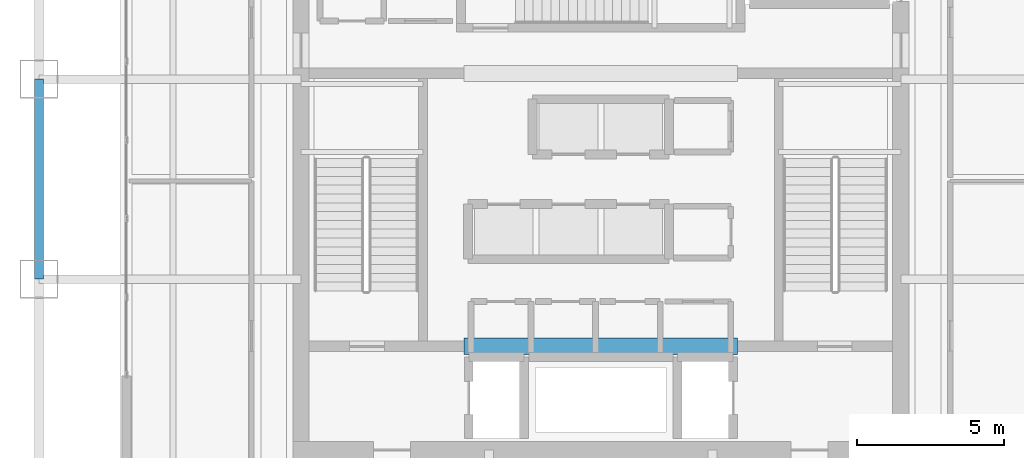
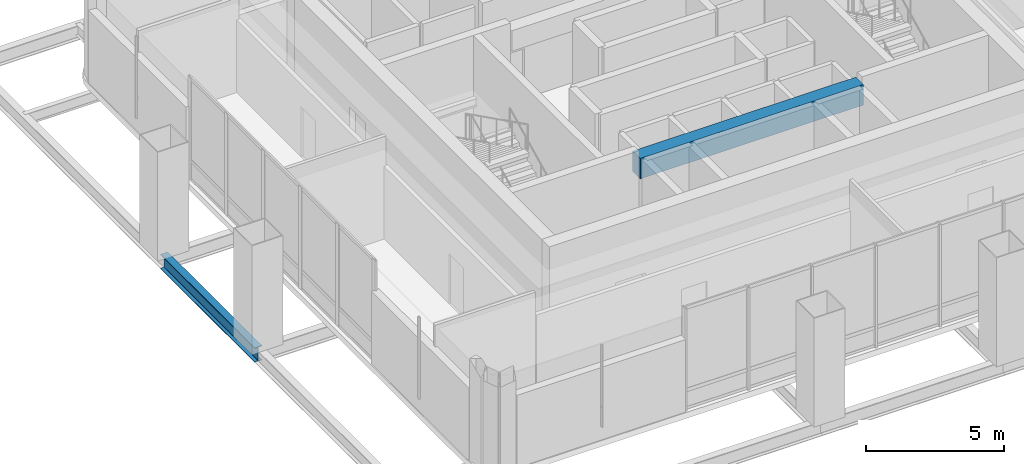
# One storey, part 7 of 33: 2 beams.
"""IFC4 building model written with IfcOpenShell, lengths in metres."""

from ifc_helpers import new_model, si_unit, direction, frame, origin, origin_2d, place, context, subcontext, project, spatial, rectangle, i_section, extrude, material, material_profile, profile_set, type_object, element, save


model = new_model("IFC4")

# Units and contexts
model_context = context("Model", 3, precision=1e-05, world=origin(), true_north=direction((0.0, 1.0)))
body_context = subcontext(model_context, "Body", "Model", "MODEL_VIEW")
ifc_project = project(units=[si_unit("LENGTHUNIT", "METRE"), si_unit("AREAUNIT", "SQUARE_METRE"), si_unit("VOLUMEUNIT", "CUBIC_METRE"), si_unit("PLANEANGLEUNIT", "RADIAN"), si_unit("MASSUNIT", "GRAM", prefix="KILO")], contexts=[model_context])

# Site, building, storey
site_placement = place(None, origin())
site = spatial("IfcSite", under=ifc_project, at=site_placement, CompositionType="ELEMENT")
building_placement = place(site_placement, origin())
building = spatial("IfcBuilding", under=site, at=building_placement, Name="Punatoya Terracotta Tower", CompositionType="ELEMENT")
storey_placement = place(building_placement, frame((0.0, 0.0, 246.60009765625)))
storey = spatial("IfcBuildingStorey", under=building, at=storey_placement, Name="L58", CompositionType="ELEMENT", Elevation=246.60009765625)

# Beams
ifc_material_1 = material(Name="Steel S355", Category="steel")
ifc_material_profile_1 = material_profile(ifc_material_1, i_section(OverallWidth=0.300048828125, OverallDepth=0.64990234375, WebThickness=0.01611328125, FlangeThickness=0.031005859375, FilletRadius=0.01806640625, at=origin_2d()))
ifc_profile_set_1 = profile_set([ifc_material_profile_1], Name="Steel S355")
beam_type_1 = type_object("IfcBeamType", Name="BM-PRI-650", PredefinedType="BEAM", material=ifc_profile_set_1)
beam_1_placement = place(storey_placement, frame((-19.10009765625, -3.39990234375, -0.585205078125), z_axis=(0.0, 1.0, 0.0), x_axis=(-1.0, 0.0, 0.0)))
element("IfcBeam", 1, at=beam_1_placement, inside=storey, type_object=beam_type_1, Name="BM-L58-RG-W2", PredefinedType="BEAM", context=body_context, shape_type="SweptSolid", body=[
    extrude(i_section(OverallWidth=0.300048828125, OverallDepth=0.64990234375, WebThickness=0.01611328125, FlangeThickness=0.031005859375, FilletRadius=0.01806640625, at=origin_2d()), origin(), (0.0, 0.0, 1.0), 6.7998046875),
])
ifc_material_2 = material(Name="Concrete C50/60", Category="concrete")
ifc_material_profile_2 = material_profile(ifc_material_2, rectangle(XDim=0.550048828125, YDim=0.89990234375, at=origin_2d()))
ifc_profile_set_2 = profile_set([ifc_material_profile_2], Name="Concrete C50/60")
beam_type_2 = type_object("IfcBeamType", Name="BM-RC-900", PredefinedType="LINTEL", material=ifc_profile_set_2)
beam_2_placement = place(storey_placement, frame((-4.64990234375, -5.679931640625, 4.06982421875), z_axis=(1.0, 0.0, 0.0), x_axis=(0.0, 1.0, 0.0)))
element("IfcBeam", 2, at=beam_2_placement, inside=storey, type_object=beam_type_2, Name="L58 Core Coupling Lintel CSW", PredefinedType="LINTEL", context=body_context, shape_type="SweptSolid", body=[
    extrude(rectangle(XDim=0.550048828125, YDim=0.89990234375, at=origin_2d()), origin(), (0.0, 0.0, 1.0), 9.2998046875),
])

save(model, "model.ifc")
